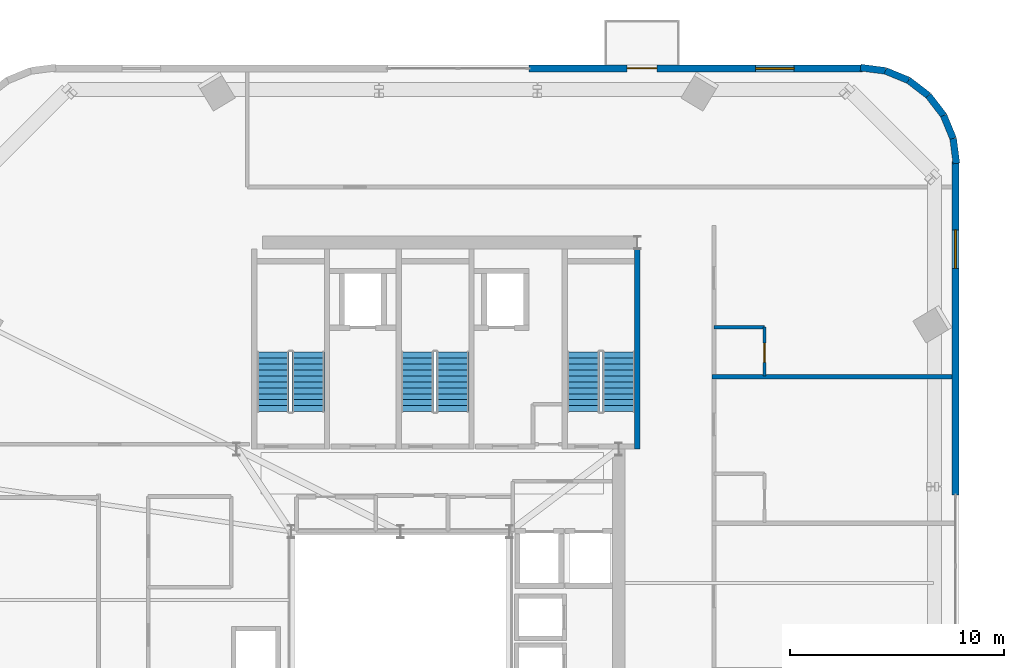
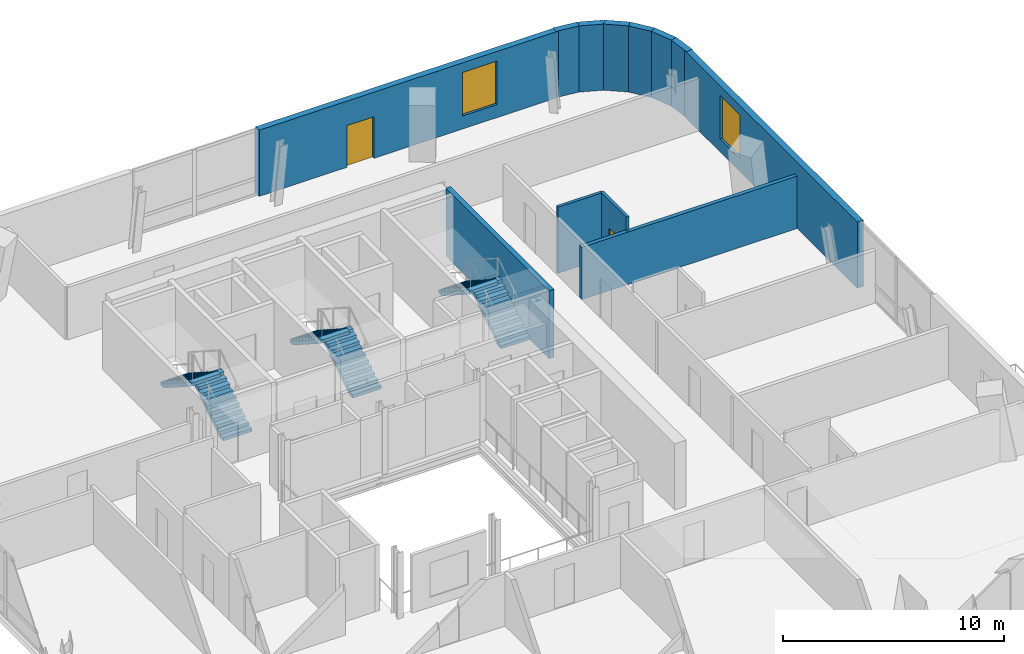
# One storey, part 10 of 12: 12 walls, 6 stair flights, 2 doors, 2 windows, 4 openings, 3 elements without a shape of their own.
"""IFC4 building model written with IfcOpenShell, lengths in metres."""

from ifc_helpers import new_model, si_unit, direction, frame, frame_2d, origin, place, context, subcontext, project, spatial, polyline, rectangle, outline, extrude, source, transform, mapped, material, layer, layer_set, type_object, element, fill, aggregate, save


model = new_model("IFC4")

# Units and contexts
model_context = context("Model", 3, precision=1e-05, world=origin(), true_north=direction((0.0, 1.0)))
body_context = subcontext(model_context, "Body", "Model", "MODEL_VIEW")
ifc_project = project(units=[si_unit("LENGTHUNIT", "METRE"), si_unit("AREAUNIT", "SQUARE_METRE"), si_unit("VOLUMEUNIT", "CUBIC_METRE"), si_unit("PLANEANGLEUNIT", "RADIAN"), si_unit("MASSUNIT", "GRAM", prefix="KILO")], contexts=[model_context])

# Site, building, storey
site_placement = place(None, origin())
site = spatial("IfcSite", under=ifc_project, at=site_placement, CompositionType="ELEMENT")
building_placement = place(site_placement, origin())
building = spatial("IfcBuilding", under=site, at=building_placement, Name="Vardaveli Station Tower", CompositionType="ELEMENT")
storey_placement = place(building_placement, frame((0.0, 0.0, 254.550048828125)))
storey = spatial("IfcBuildingStorey", under=building, at=storey_placement, Name="L65", CompositionType="ELEMENT", Elevation=254.550048828125)

# Wall, openings, door, window
ifc_material_1 = material(Name="Precast concrete C45/55", Category="concrete")
ifc_layer_1 = layer(ifc_material_1, 0.320068359375, Name="Precast concrete C45/55")
ifc_layer_set_1 = layer_set([ifc_layer_1], Name="Precast concrete C45/55")
wall_type_1 = type_object("IfcWallType", Name="WAL-EXT-STONE-320", PredefinedType="SOLIDWALL", material=ifc_layer_set_1)
shared_shape_1 = source(origin(), body_context, "Body", "SweptSolid", [
    extrude(rectangle(XDim=15.599853515625, YDim=0.320068359375, at=frame_2d((7.7998046875, 0.0))), origin(), (0.0, 0.0, 1.0), 3.64990234375),
])
wall_1_placement = place(storey_placement, frame((57.89990234375, 48.43994140625, 0.0), z_axis=(0.0, 0.0, 1.0), x_axis=(-1.0, 0.0, 0.0)))
wall_1 = element("IfcWall", 1, at=wall_1_placement, inside=storey, type_object=wall_type_1, Name="EW-L65-N1", PredefinedType="SOLIDWALL", context=body_context, shape_type="MappedRepresentation", body=[
    mapped(shared_shape_1, transform((0.0, 0.0, 0.0), scale=1.0)),
])
shared_shape_2 = source(origin(), body_context, "Body", "SweptSolid", [
    extrude(rectangle(XDim=1.39990234375, YDim=2.300048828125, at=frame_2d((0.699951171875, 1.14990234375))), frame((0.0, 0.169921875, 0.0), z_axis=(0.0, -1.0, 0.0), x_axis=(1.0, 0.0, 0.0)), (0.0, 0.0, 1.0), 0.340087890625),
])
opening_1_placement = place(wall_1_placement, frame((9.6103515625, 0.0, 0.0)))
opening_1 = element("IfcOpeningElement", 2, at=opening_1_placement, cuts=wall_1, Name="Opening D-09", PredefinedType="OPENING", context=body_context, shape_type="MappedRepresentation", body=[
    mapped(shared_shape_2, transform((0.0, 0.0, 0.0), scale=1.0)),
])
shared_shape_3 = source(origin(), body_context, "Body", "SweptSolid", [
    extrude(rectangle(XDim=1.800048828125, YDim=2.39990234375, at=frame_2d((0.89990234375, 1.199951171875))), frame((0.0, 0.169921875, 0.0), z_axis=(0.0, -1.0, 0.0), x_axis=(1.0, 0.0, 0.0)), (0.0, 0.0, 1.0), 0.340087890625),
])
opening_2_placement = place(wall_1_placement, frame((3.205078125, 0.0, 0.719970703125)))
opening_2 = element("IfcOpeningElement", 3, at=opening_2_placement, cuts=wall_1, Name="Opening W-05", PredefinedType="OPENING", context=body_context, shape_type="MappedRepresentation", body=[
    mapped(shared_shape_3, transform((0.0, 0.0, 0.0), scale=1.0)),
])
ifc_material_2 = material(Name="Thermally broken aluminium glass", Category="aluminium")
door_type_1 = type_object("IfcDoorType", Name="DR-LOG-1400x2300", OperationType="DOUBLE_DOOR_SLIDING", PredefinedType="DOOR", material=ifc_material_2)
shared_shape_4 = source(origin(), body_context, "Body", "SweptSolid", [
    extrude(rectangle(XDim=1.39990234375, YDim=2.300048828125, at=frame_2d((0.699951171875, 1.14990234375))), frame((0.0, 0.02490234375, 0.0), z_axis=(0.0, -1.0, 0.0), x_axis=(1.0, 0.0, 0.0)), (0.0, 0.0, 1.0), 0.050048828125),
])
door_1_placement = place(opening_1_placement, frame((1.39990234375, 0.0, 0.0), z_axis=(0.0, 0.0, 1.0), x_axis=(-1.0, 0.0, 0.0)))
door_1 = element("IfcDoor", 4, at=door_1_placement, inside=storey, type_object=door_type_1, Name="DLG-L65-N", OperationType="DOUBLE_DOOR_SLIDING", OverallHeight=2.300048828125, OverallWidth=1.39990234375, PredefinedType="DOOR", context=body_context, shape_type="MappedRepresentation", body=[
    mapped(shared_shape_4, transform((0.0, 0.0, 0.0), scale=1.0)),
])
fill(opening_1, door_1)
ifc_material_3 = material(Name="Low-E solar-control glass", Category="glass")
window_type = type_object("IfcWindowType", Name="WIN-HIGH-1800x2400", PartitioningType="SINGLE_PANEL", PredefinedType="WINDOW", material=ifc_material_3)
shared_shape_5 = source(origin(), body_context, "Body", "SweptSolid", [
    extrude(rectangle(XDim=1.800048828125, YDim=2.39990234375, at=frame_2d((0.89990234375, 1.199951171875))), frame((0.0, 0.030029296875, 0.0), z_axis=(0.0, -1.0, 0.0), x_axis=(1.0, 0.0, 0.0)), (0.0, 0.0, 1.0), 0.06005859375),
])
window_1_placement = place(opening_2_placement, origin())
window_1 = element("IfcWindow", 5, at=window_1_placement, inside=storey, type_object=window_type, Name="WN-L65-N1", OverallHeight=2.39990234375, OverallWidth=1.800048828125, PartitioningType="SINGLE_PANEL", PredefinedType="WINDOW", context=body_context, shape_type="MappedRepresentation", body=[
    mapped(shared_shape_5, transform((0.0, 0.0, 0.0), scale=1.0)),
])
fill(opening_2, window_1)

# Wall, opening, window
shared_shape_6 = source(origin(), body_context, "Body", "SweptSolid", [
    extrude(rectangle(XDim=15.60009765625, YDim=0.320068359375, at=frame_2d((7.800048828125, 0.0))), origin(), (0.0, 0.0, 1.0), 3.64990234375),
])
wall_2_placement = place(storey_placement, frame((62.239990234375, 28.5, 0.0), z_axis=(0.0, 0.0, 1.0), x_axis=(0.0, 1.0, 0.0)))
wall_2 = element("IfcWall", 6, at=wall_2_placement, inside=storey, type_object=wall_type_1, Name="EW-L65-E2", PredefinedType="SOLIDWALL", context=body_context, shape_type="MappedRepresentation", body=[
    mapped(shared_shape_6, transform((0.0, 0.0, 0.0), scale=1.0)),
])
opening_3_placement = place(wall_2_placement, frame((10.594970703125, 0.0, 0.719970703125)))
opening_3 = element("IfcOpeningElement", 7, at=opening_3_placement, cuts=wall_2, Name="Opening W-05", PredefinedType="OPENING", context=body_context, shape_type="MappedRepresentation", body=[
    mapped(shared_shape_3, transform((0.0, 0.0, 0.0), scale=1.0)),
])
window_2_placement = place(opening_3_placement, origin())
window_2 = element("IfcWindow", 8, at=window_2_placement, inside=storey, type_object=window_type, Name="WN-L65-E2", OverallHeight=2.39990234375, OverallWidth=1.800048828125, PartitioningType="SINGLE_PANEL", PredefinedType="WINDOW", context=body_context, shape_type="MappedRepresentation", body=[
    mapped(shared_shape_5, transform((0.0, 0.0, 0.0), scale=1.0)),
])
fill(opening_3, window_2)

# Walls
shared_shape_7 = source(origin(), body_context, "Body", "SweptSolid", [
    extrude(rectangle(XDim=1.1689453125, YDim=0.320068359375, at=frame_2d((0.58447265625, 0.0))), origin(), (0.0, 0.0, 1.0), 3.64990234375),
])
wall_3_placement = place(storey_placement, frame((61.679931640625, 46.2412109375, 0.0), z_axis=(0.0, 0.0, 1.0), x_axis=(-0.608387696831, 0.793639975269, 0.0)))
element("IfcWall", 9, at=wall_3_placement, inside=storey, type_object=wall_type_1, Name="EW-L65-CR3-3", PredefinedType="SOLIDWALL", context=body_context, shape_type="MappedRepresentation", body=[
    mapped(shared_shape_7, transform((0.0, 0.0, 0.0), scale=1.0)),
])
shared_shape_8 = source(origin(), body_context, "Body", "SweptSolid", [
    extrude(rectangle(XDim=1.168701171875, YDim=0.320068359375, at=frame_2d((0.58447265625, 0.0))), origin(), (0.0, 0.0, 1.0), 3.64990234375),
])
wall_4_placement = place(storey_placement, frame((60.96875, 47.1689453125, 0.0), z_axis=(0.0, 0.0, 1.0), x_axis=(-0.793663520347, 0.608356981114, 0.0)))
element("IfcWall", 10, at=wall_4_placement, inside=storey, type_object=wall_type_1, Name="EW-L65-CR3-4", PredefinedType="SOLIDWALL", context=body_context, shape_type="MappedRepresentation", body=[
    mapped(shared_shape_8, transform((0.0, 0.0, 0.0), scale=1.0)),
])
shared_shape_9 = source(origin(), body_context, "Body", "SweptSolid", [
    extrude(rectangle(XDim=1.17041015625, YDim=0.320068359375, at=frame_2d((0.585205078125, 0.0))), origin(), (0.0, 0.0, 1.0), 3.64990234375),
])
for number, where, z_axis, x_axis, name in (
    (11, (62.275634765625, 43.99951171875, 0.0), (0.0, 0.0, 1.0), (-0.128295670475, 0.991735963317, 0.0), "EW-L65-CR3-1"),
    (12, (58.960205078125, 48.325439453125, 0.0), (0.0, 0.0, 1.0), (-0.991735963317, 0.128295670475, 0.0), "EW-L65-CR3-6"),
):
    element("IfcWall", number, at=place(storey_placement, frame(where, z_axis=z_axis, x_axis=x_axis)), inside=storey, type_object=wall_type_1, Name=name, PredefinedType="SOLIDWALL", context=body_context, shape_type="MappedRepresentation", body=[
        mapped(shared_shape_9, transform((0.0, 0.0, 0.0), scale=1.0)),
    ])
shared_shape_10 = source(origin(), body_context, "Body", "SweptSolid", [
    extrude(rectangle(XDim=1.169189453125, YDim=0.320068359375, at=frame_2d((0.58447265625, 0.0))), origin(), (0.0, 0.0, 1.0), 3.64990234375),
])
for number, where, z_axis, x_axis, name in (
    (13, (62.12548828125, 45.16015625, 0.0), (0.0, 0.0, 1.0), (-0.381054331552, 0.924552646638, 0.0), "EW-L65-CR3-2"),
    (14, (60.041259765625, 47.8798828125, 0.0), (0.0, 0.0, 1.0), (-0.924552646638, 0.381054331552, 0.0), "EW-L65-CR3-5"),
):
    element("IfcWall", number, at=place(storey_placement, frame(where, z_axis=z_axis, x_axis=x_axis)), inside=storey, type_object=wall_type_1, Name=name, PredefinedType="SOLIDWALL", context=body_context, shape_type="MappedRepresentation", body=[
        mapped(shared_shape_10, transform((0.0, 0.0, 0.0), scale=1.0)),
    ])
ifc_material_4 = material(Name="Concrete C40/50", Category="concrete")
ifc_layer_2 = layer(ifc_material_4, 0.25, Name="Concrete C40/50")
ifc_layer_set_2 = layer_set([ifc_layer_2], Name="Concrete C40/50")
wall_type_2 = type_object("IfcWallType", Name="WAL-SHAFT-250", PredefinedType="SOLIDWALL", material=ifc_layer_set_2)
shared_shape_11 = source(origin(), body_context, "Body", "SweptSolid", [
    extrude(rectangle(XDim=9.35009765625, YDim=0.25, at=frame_2d((4.675048828125, 0.0))), origin(), (0.0, 0.0, 1.0), 3.75),
])
wall_5_placement = place(storey_placement, frame((47.375, 30.64990234375, 0.0), z_axis=(0.0, 0.0, 1.0), x_axis=(0.0, 1.0, 0.0)))
element("IfcWall", 15, at=wall_5_placement, inside=storey, type_object=wall_type_2, Name="W-L65-ST-3E", PredefinedType="SOLIDWALL", context=body_context, shape_type="MappedRepresentation", body=[
    mapped(shared_shape_11, transform((0.0, 0.0, 0.0), scale=1.0)),
])

# Wall, opening, door
ifc_material_5 = material(Name="Moisture-resistant stud partition")
ifc_layer_3 = layer(ifc_material_5, 0.14990234375, Name="Moisture-resistant stud partition")
ifc_layer_set_3 = layer_set([ifc_layer_3], Name="Moisture-resistant stud partition")
wall_type_3 = type_object("IfcWallType", Name="WAL-WET-150", PredefinedType="PARTITIONING", material=ifc_layer_set_3)
shared_shape_12 = source(origin(), body_context, "Body", "SweptSolid", [
    extrude(rectangle(XDim=2.289794921875, YDim=0.14990234375, at=frame_2d((1.14501953125, 0.0))), origin(), (0.0, 0.0, 1.0), 3.64990234375),
])
wall_6_placement = place(storey_placement, frame((53.31005859375, 34.05810546875, 0.0), z_axis=(0.0, 0.0, 1.0), x_axis=(0.0, 1.0, 0.0)))
wall_6 = element("IfcWall", 16, at=wall_6_placement, inside=storey, type_object=wall_type_3, Name="W-L65-BE4-E", PredefinedType="PARTITIONING", context=body_context, shape_type="MappedRepresentation", body=[
    mapped(shared_shape_12, transform((0.0, 0.0, 0.0), scale=1.0)),
])
shared_shape_13 = source(origin(), body_context, "Body", "SweptSolid", [
    extrude(rectangle(XDim=0.89990234375, YDim=2.10009765625, at=frame_2d((0.449951171875, 1.050048828125))), frame((0.0, 0.0849609375, 0.0), z_axis=(0.0, -1.0, 0.0), x_axis=(1.0, 0.0, 0.0)), (0.0, 0.0, 1.0), 0.169921875),
])
opening_4_placement = place(wall_6_placement, frame((0.64990234375, 0.0, 0.0)))
opening_4 = element("IfcOpeningElement", 17, at=opening_4_placement, cuts=wall_6, Name="Opening D-08", PredefinedType="OPENING", context=body_context, shape_type="MappedRepresentation", body=[
    mapped(shared_shape_13, transform((0.0, 0.0, 0.0), scale=1.0)),
])
ifc_material_6 = material(Name="Moisture-resistant oak door")
door_type_2 = type_object("IfcDoorType", Name="DR-BATH-900x2100", OperationType="NOTDEFINED", PredefinedType="DOOR", material=ifc_material_6)
shared_shape_14 = source(origin(), body_context, "Body", "SweptSolid", [
    extrude(rectangle(XDim=0.89990234375, YDim=2.10009765625, at=frame_2d((0.449951171875, 1.050048828125))), frame((0.0, 0.02490234375, 0.0), z_axis=(0.0, -1.0, 0.0), x_axis=(1.0, 0.0, 0.0)), (0.0, 0.0, 1.0), 0.050048828125),
])
door_2_placement = place(opening_4_placement, origin())
door_2 = element("IfcDoor", 18, at=door_2_placement, inside=storey, type_object=door_type_2, Name="D-L65-BE4", OperationType="SINGLE_SWING_LEFT", OverallHeight=2.10009765625, OverallWidth=0.89990234375, PredefinedType="DOOR", context=body_context, shape_type="MappedRepresentation", body=[
    mapped(shared_shape_14, transform((0.0, 0.0, 0.0), scale=1.0)),
])
fill(opening_4, door_2)

# Walls
ifc_material_7 = material(Name="Acoustic twin-stud gypsum partition")
ifc_layer_4 = layer(ifc_material_7, 0.199951171875, Name="Acoustic twin-stud gypsum partition")
ifc_layer_set_4 = layer_set([ifc_layer_4], Name="Acoustic twin-stud gypsum partition")
wall_type_4 = type_object("IfcWallType", Name="WAL-PARTY-200", PredefinedType="PARTITIONING", material=ifc_layer_set_4)
shared_shape_15 = source(origin(), body_context, "Body", "SweptSolid", [
    extrude(rectangle(XDim=11.227783203125, YDim=0.199951171875, at=frame_2d((5.61376953125, 0.0))), origin(), (0.0, 0.0, 1.0), 2.891845703125),
])
wall_7_placement = place(storey_placement, frame((50.85009765625, 34.0380859375, 0.0), z_axis=(0.0, 0.0, 1.0), x_axis=(1.0, 0.0, 0.0)))
element("IfcWall", 19, at=wall_7_placement, inside=storey, type_object=wall_type_4, Name="W-L65-PE3", PredefinedType="PARTITIONING", context=body_context, shape_type="MappedRepresentation", body=[
    mapped(shared_shape_15, transform((0.0, 0.0, 0.0), scale=1.0)),
])
shared_shape_16 = source(origin(), body_context, "Body", "SweptSolid", [
    extrude(rectangle(XDim=2.360107421875, YDim=0.14990234375, at=frame_2d((1.18017578125, 0.0))), origin(), (0.0, 0.0, 1.0), 3.64990234375),
])
wall_8_placement = place(storey_placement, frame((50.949951171875, 36.347900390625, 0.0), z_axis=(0.0, 0.0, 1.0), x_axis=(1.0, 0.0, 0.0)))
element("IfcWall", 20, at=wall_8_placement, inside=storey, type_object=wall_type_3, Name="W-L65-BE4-N", PredefinedType="PARTITIONING", context=body_context, shape_type="MappedRepresentation", body=[
    mapped(shared_shape_16, transform((0.0, 0.0, 0.0), scale=1.0)),
])

# Stair, stair flights
stair_type = type_object("IfcStairType", Name="STR-CORE-1500", PredefinedType="HALF_TURN_STAIR", material=ifc_material_4)
stair_1_placement = place(storey_placement, origin())
stair_1 = element("IfcStair", 21, at=stair_1_placement, inside=storey, type_object=stair_type, Name="L65 ST-1", PredefinedType="HALF_TURN_STAIR")
stair_flight_type = type_object("IfcStairFlightType", Name="SFL-CORE-1500", PredefinedType="STRAIGHT", material=ifc_material_4)
shared_shape_17 = source(origin(), body_context, "Body", "SweptSolid", [
    extrude(outline(polyline([(0.0, 0.0), (0.0, 0.179443359375), (0.280029296875, 0.179443359375), (0.280029296875, 0.359130859375), (0.56005859375, 0.359130859375), (0.56005859375, 0.53857421875), (0.840087890625, 0.53857421875), (0.840087890625, 0.71826171875), (1.1201171875, 0.71826171875), (1.1201171875, 0.897705078125), (1.39990234375, 0.897705078125), (1.39990234375, 1.077392578125), (1.679931640625, 1.077392578125), (1.679931640625, 1.2568359375), (1.9599609375, 1.2568359375), (1.9599609375, 1.436279296875), (2.239990234375, 1.436279296875), (2.239990234375, 1.615966796875), (2.52001953125, 1.615966796875), (2.52001953125, 1.79541015625), (2.800048828125, 1.79541015625), (2.800048828125, 1.97509765625), (2.800048828125, 1.617431640625), (0.277587890625, 0.0), (0.0, 0.0)])), frame((0.0, 0.75, 0.0), z_axis=(0.0, -1.0, 0.0), x_axis=(1.0, 0.0, 0.0)), (0.0, 0.0, 1.0), 1.5),
])
stair_flight_1_placement = place(storey_placement, frame((32.0, 32.39990234375, 0.0), z_axis=(0.0, 0.0, 1.0), x_axis=(0.0, 1.0, 0.0)))
stair_flight_1 = element("IfcStairFlight", 22, at=stair_flight_1_placement, type_object=stair_flight_type, Name="ST-1 flight 1", NumberOfRisers=11, NumberOfTreads=10, PredefinedType="STRAIGHT", RiserHeight=0.179545455, TreadLength=0.28, context=body_context, shape_type="MappedRepresentation", body=[
    mapped(shared_shape_17, transform((0.0, 0.0, 0.0), scale=1.0)),
])
stair_flight_2_placement = place(storey_placement, frame((30.35009765625, 35.199951171875, 1.974853515625), z_axis=(0.0, 0.0, 1.0), x_axis=(0.0, -1.0, 0.0)))
stair_flight_2 = element("IfcStairFlight", 23, at=stair_flight_2_placement, type_object=stair_flight_type, Name="ST-1 flight 2", NumberOfRisers=11, NumberOfTreads=10, PredefinedType="STRAIGHT", RiserHeight=0.179545455, TreadLength=0.28, context=body_context, shape_type="MappedRepresentation", body=[
    mapped(shared_shape_17, transform((0.0, 0.0, 0.0), scale=1.0)),
])
aggregate(stair_1, [stair_flight_1, stair_flight_2])

stair_2_placement = place(storey_placement, origin())
stair_2 = element("IfcStair", 24, at=stair_2_placement, inside=storey, type_object=stair_type, Name="L65 ST-2", PredefinedType="HALF_TURN_STAIR")
stair_flight_3_placement = place(storey_placement, frame((38.75, 32.39990234375, 0.0), z_axis=(0.0, 0.0, 1.0), x_axis=(0.0, 1.0, 0.0)))
stair_flight_3 = element("IfcStairFlight", 25, at=stair_flight_3_placement, type_object=stair_flight_type, Name="ST-2 flight 1", NumberOfRisers=11, NumberOfTreads=10, PredefinedType="STRAIGHT", RiserHeight=0.179545455, TreadLength=0.28, context=body_context, shape_type="MappedRepresentation", body=[
    mapped(shared_shape_17, transform((0.0, 0.0, 0.0), scale=1.0)),
])
stair_flight_4_placement = place(storey_placement, frame((37.10009765625, 35.199951171875, 1.974853515625), z_axis=(0.0, 0.0, 1.0), x_axis=(0.0, -1.0, 0.0)))
stair_flight_4 = element("IfcStairFlight", 26, at=stair_flight_4_placement, type_object=stair_flight_type, Name="ST-2 flight 2", NumberOfRisers=11, NumberOfTreads=10, PredefinedType="STRAIGHT", RiserHeight=0.179545455, TreadLength=0.28, context=body_context, shape_type="MappedRepresentation", body=[
    mapped(shared_shape_17, transform((0.0, 0.0, 0.0), scale=1.0)),
])
aggregate(stair_2, [stair_flight_3, stair_flight_4])

stair_3_placement = place(storey_placement, origin())
stair_3 = element("IfcStair", 27, at=stair_3_placement, inside=storey, type_object=stair_type, Name="L65 ST-3", PredefinedType="HALF_TURN_STAIR")
stair_flight_5_placement = place(storey_placement, frame((46.5, 32.39990234375, 0.0), z_axis=(0.0, 0.0, 1.0), x_axis=(0.0, 1.0, 0.0)))
stair_flight_5 = element("IfcStairFlight", 28, at=stair_flight_5_placement, type_object=stair_flight_type, Name="ST-3 flight 1", NumberOfRisers=11, NumberOfTreads=10, PredefinedType="STRAIGHT", RiserHeight=0.179545455, TreadLength=0.28, context=body_context, shape_type="MappedRepresentation", body=[
    mapped(shared_shape_17, transform((0.0, 0.0, 0.0), scale=1.0)),
])
stair_flight_6_placement = place(storey_placement, frame((44.85009765625, 35.199951171875, 1.974853515625), z_axis=(0.0, 0.0, 1.0), x_axis=(0.0, -1.0, 0.0)))
stair_flight_6 = element("IfcStairFlight", 29, at=stair_flight_6_placement, type_object=stair_flight_type, Name="ST-3 flight 2", NumberOfRisers=11, NumberOfTreads=10, PredefinedType="STRAIGHT", RiserHeight=0.179545455, TreadLength=0.28, context=body_context, shape_type="MappedRepresentation", body=[
    mapped(shared_shape_17, transform((0.0, 0.0, 0.0), scale=1.0)),
])
aggregate(stair_3, [stair_flight_5, stair_flight_6])

save(model, "model.ifc")
